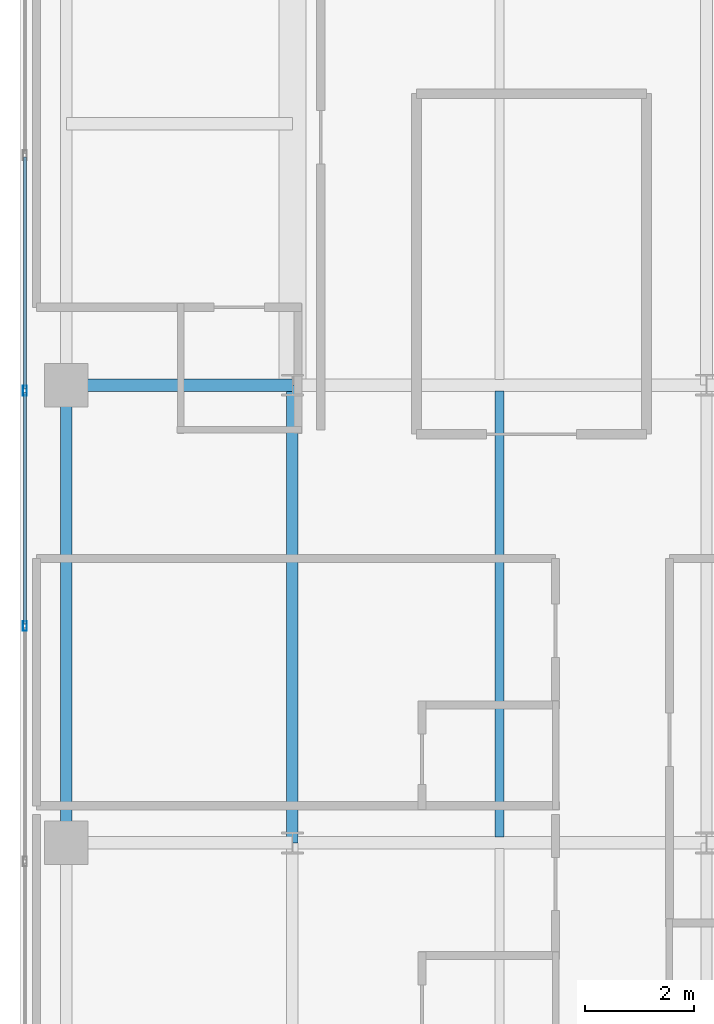
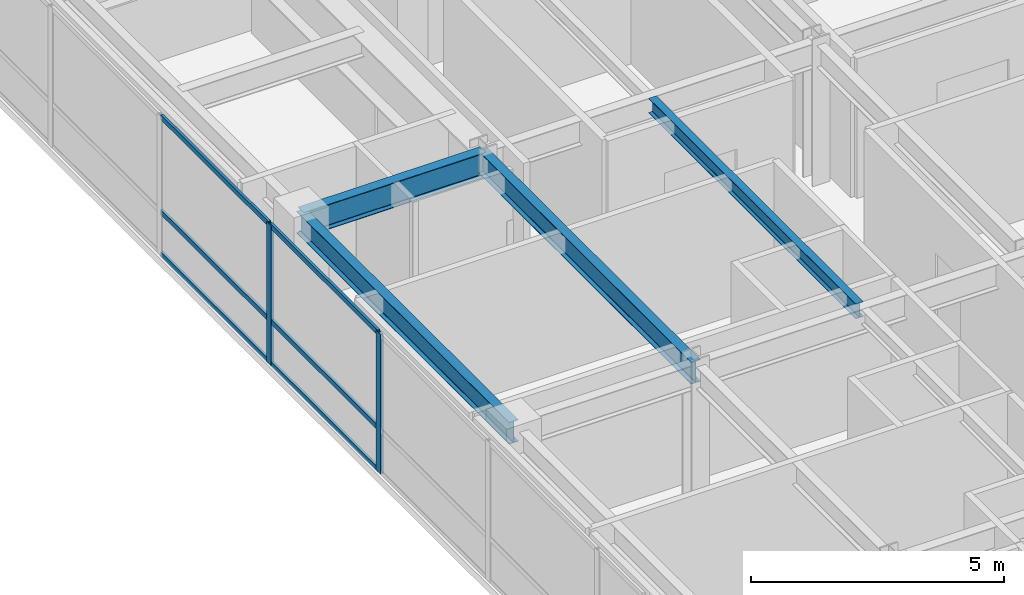
# One storey, part 9 of 24: 8 members, 4 beams, 1 element without a shape of its own.
"""IFC4 building model written with IfcOpenShell, lengths in metres."""

from ifc_helpers import new_model, si_unit, direction, frame, origin, origin_2d, place, context, subcontext, project, spatial, hollow_rectangle, i_section, extrude, source, transform, mapped, material, layer, layer_set, material_profile, profile_set, type_object, type_shapes, element, aggregate, save


model = new_model("IFC4")

# Units and contexts
model_context = context("Model", 3, precision=1e-05, world=origin(), true_north=direction((0.0, 1.0)))
body_context = subcontext(model_context, "Body", "Model", "MODEL_VIEW")
ifc_project = project(units=[si_unit("LENGTHUNIT", "METRE"), si_unit("AREAUNIT", "SQUARE_METRE"), si_unit("VOLUMEUNIT", "CUBIC_METRE"), si_unit("PLANEANGLEUNIT", "RADIAN"), si_unit("MASSUNIT", "GRAM", prefix="KILO")], contexts=[model_context])

# Site, building, storey
site_placement = place(None, origin())
site = spatial("IfcSite", under=ifc_project, at=site_placement, CompositionType="ELEMENT")
building_placement = place(site_placement, origin())
building = spatial("IfcBuilding", under=site, at=building_placement, Name="Tolvann Quenvar Hotel", CompositionType="ELEMENT")
storey_placement = place(building_placement, frame((0.0, 0.0, 157.699951171875)))
storey = spatial("IfcBuildingStorey", under=building, at=storey_placement, Name="L41", CompositionType="ELEMENT", Elevation=157.699951171875)

# Beams
ifc_material_1 = material(Name="Steel Grade 350", Category="steel")
ifc_material_profile_1 = material_profile(ifc_material_1, i_section(OverallWidth=0.208984375, OverallDepth=0.528076171875, WebThickness=0.009521484375, FlangeThickness=0.01318359375, FilletRadius=0.013916015625, at=origin_2d()), Name="530UB82")
ifc_profile_set_1 = profile_set([ifc_material_profile_1], Name="Steel Grade 350")
beam_type_1 = type_object("IfcBeamType", Name="BM_SPAND_530UB82", PredefinedType="SPANDREL", material=ifc_profile_set_1)
shared_shape_1 = source(origin(), body_context, "Body", "SweptSolid", [
    extrude(i_section(OverallWidth=0.208984375, OverallDepth=0.528076171875, WebThickness=0.009521484375, FlangeThickness=0.01318359375, FilletRadius=0.013916015625, at=origin_2d()), origin(), (0.0, 0.0, 1.0), 8.39990234375),
])
type_shapes(beam_type_1, [shared_shape_1])
beam_1_placement = place(storey_placement, frame((3.449951171875, 16.0, 3.10595703125), z_axis=(0.0, 1.0, 0.0), x_axis=(-1.0, 0.0, 0.0)))
element("IfcBeam", 1, at=beam_1_placement, inside=storey, type_object=beam_type_1, Name="BM-L41-NS-B4-B5", PredefinedType="SPANDREL", context=body_context, shape_type="MappedRepresentation", body=[
    mapped(shared_shape_1, transform((0.0, 0.0, 0.0), x_axis=(1.0, 0.0, 0.0), y_axis=(0.0, 1.0, 0.0), z_axis=(0.0, 0.0, 1.0), scale=1.0)),
])
ifc_material_profile_2 = material_profile(ifc_material_1, i_section(OverallWidth=0.208984375, OverallDepth=0.532958984375, WebThickness=0.01025390625, FlangeThickness=0.015625, FilletRadius=0.013916015625, at=origin_2d()), Name="530UB92")
ifc_profile_set_2 = profile_set([ifc_material_profile_2], Name="Steel Grade 350")
beam_type_2 = type_object("IfcBeamType", Name="BM_GIRD_530UB92", PredefinedType="BEAM", material=ifc_profile_set_2)
shared_shape_2 = source(origin(), body_context, "Body", "SweptSolid", [
    extrude(i_section(OverallWidth=0.208984375, OverallDepth=0.532958984375, WebThickness=0.01025390625, FlangeThickness=0.015625, FilletRadius=0.013916015625, at=origin_2d()), origin(), (0.0, 0.0, 1.0), 8.39990234375),
])
type_shapes(beam_type_2, [shared_shape_2])
beam_2_placement = place(storey_placement, frame((7.60009765625, 16.0, 3.103515625), z_axis=(0.0, 1.0, 0.0), x_axis=(-1.0, 0.0, 0.0)))
element("IfcBeam", 2, at=beam_2_placement, inside=storey, type_object=beam_type_2, Name="BM-L41-NS-C4-C5", PredefinedType="BEAM", context=body_context, shape_type="MappedRepresentation", body=[
    mapped(shared_shape_2, transform((0.0, 0.0, 0.0), x_axis=(1.0, 0.0, 0.0), y_axis=(0.0, 1.0, 0.0), z_axis=(0.0, 0.0, 1.0), scale=1.0)),
])
ifc_material_profile_3 = material_profile(ifc_material_1, i_section(OverallWidth=0.22802734375, OverallDepth=0.60205078125, WebThickness=0.010498046875, FlangeThickness=0.014892578125, FilletRadius=0.013916015625, at=origin_2d()), Name="610UB101")
ifc_profile_set_3 = profile_set([ifc_material_profile_3], Name="Steel Grade 350")
beam_type_3 = type_object("IfcBeamType", Name="BM_GIRD_610UB101", PredefinedType="BEAM", material=ifc_profile_set_3)
shared_shape_3 = source(origin(), body_context, "Body", "SweptSolid", [
    extrude(i_section(OverallWidth=0.22802734375, OverallDepth=0.60205078125, WebThickness=0.010498046875, FlangeThickness=0.014892578125, FilletRadius=0.013916015625, at=origin_2d()), origin(), (0.0, 0.0, 1.0), 4.150146484375),
])
type_shapes(beam_type_3, [shared_shape_3])
beam_3_placement = place(storey_placement, frame((3.449951171875, 24.39990234375, 3.069091796875), z_axis=(1.0, 0.0, 0.0), x_axis=(0.0, 1.0, 0.0)))
element("IfcBeam", 3, at=beam_3_placement, inside=storey, type_object=beam_type_3, Name="BM-L41-EW-5-B5-C5", PredefinedType="BEAM", context=body_context, shape_type="MappedRepresentation", body=[
    mapped(shared_shape_3, transform((0.0, 0.0, 0.0), x_axis=(1.0, 0.0, 0.0), y_axis=(0.0, 1.0, 0.0), z_axis=(0.0, 0.0, 1.0), scale=1.0)),
])
ifc_material_profile_4 = material_profile(ifc_material_1, i_section(OverallWidth=0.172119140625, OverallDepth=0.35888671875, WebThickness=0.008056640625, FlangeThickness=0.012939453125, FilletRadius=0.011474609375, at=origin_2d()), Name="360UB57")
ifc_profile_set_4 = profile_set([ifc_material_profile_4], Name="Steel Grade 350")
beam_type_4 = type_object("IfcBeamType", Name="BM_JOIST_360UB57", PredefinedType="JOIST", material=ifc_profile_set_4)
shared_shape_4 = source(origin(), body_context, "Body", "SweptSolid", [
    extrude(i_section(OverallWidth=0.172119140625, OverallDepth=0.35888671875, WebThickness=0.008056640625, FlangeThickness=0.012939453125, FilletRadius=0.011474609375, at=origin_2d()), origin(), (0.0, 0.0, 1.0), 8.18408203125),
])
type_shapes(beam_type_4, [shared_shape_4])
beam_4_placement = place(storey_placement, frame((11.39990234375, 16.10791015625, 3.1904296875), z_axis=(0.0, 1.0, 0.0), x_axis=(-1.0, 0.0, 0.0)))
element("IfcBeam", 4, at=beam_4_placement, inside=storey, type_object=beam_type_4, Name="BJ-L41-114-160", PredefinedType="JOIST", context=body_context, shape_type="MappedRepresentation", body=[
    mapped(shared_shape_4, transform((0.0, 0.0, 0.0), x_axis=(1.0, 0.0, 0.0), y_axis=(0.0, 1.0, 0.0), z_axis=(0.0, 0.0, 1.0), scale=1.0)),
])

# Curtain wall, members
ifc_material_2 = material(Name="Thermally broken anodised architectural aluminium 6063-T6 and laminated low-E glass", Category="aluminium")
ifc_layer = layer(ifc_material_2, 0.179931640625)
ifc_layer_set = layer_set([ifc_layer], Name="Thermally broken anodised architectural aluminium 6063-T6 and laminated low-E glass")
curtain_wall_type = type_object("IfcCurtainWallType", Name="CW_SYS_BAND_04", PredefinedType="USERDEFINED", material=ifc_layer_set)
curtain_wall_placement = place(storey_placement, origin())
curtain_wall = element("IfcCurtainWall", 5, at=curtain_wall_placement, inside=storey, type_object=curtain_wall_type, Name="Curtain Wall CW-BAND-04 (CWR-L41-E23)", ObjectType="UNITISED CURTAIN WALL", PredefinedType="USERDEFINED")
ifc_material_3 = material(Name="Anodised architectural aluminium 6063-T6 framing", Category="aluminium")
ifc_material_profile_5 = material_profile(ifc_material_3, hollow_rectangle(XDim=0.070068359375, YDim=0.179931640625, WallThickness=0.00390625, at=origin_2d()), Name="180x70x4RHS")
ifc_profile_set_5 = profile_set([ifc_material_profile_5], Name="Anodised architectural aluminium 6063-T6 framing")
member_type_1 = type_object("IfcMemberType", Name="CW_MULL_180x70", PredefinedType="MULLION", material=ifc_profile_set_5)
shared_shape_5 = source(origin(), body_context, "Body", "SweptSolid", [
    extrude(hollow_rectangle(XDim=0.070068359375, YDim=0.179931640625, WallThickness=0.00390625, at=origin_2d()), origin(), (0.0, 0.0, 1.0), 3.3701171875),
])
type_shapes(member_type_1, [shared_shape_5])
member_1_placement = place(storey_placement, frame((2.68994140625, 24.300048828125, 0.0), z_axis=(0.0, 0.0, 1.0), x_axis=(1.0, 0.0, 0.0)))
member_1 = element("IfcMember", 6, at=member_1_placement, type_object=member_type_1, Name="CW-BAND-04 mullion 5", PredefinedType="MULLION", context=body_context, shape_type="MappedRepresentation", body=[
    mapped(shared_shape_5, transform((0.0, 0.0, 0.0), x_axis=(1.0, 0.0, 0.0), y_axis=(0.0, 1.0, 0.0), z_axis=(0.0, 0.0, 1.0), scale=1.0)),
])
member_2_placement = place(storey_placement, frame((2.68994140625, 19.979248046875, 0.0), z_axis=(0.0, 0.0, 1.0), x_axis=(1.0, 0.0, 0.0)))
member_2 = element("IfcMember", 7, at=member_2_placement, type_object=member_type_1, Name="CW-BAND-04 mullion 6", PredefinedType="MULLION", context=body_context, shape_type="MappedRepresentation", body=[
    mapped(shared_shape_5, transform((0.0, 0.0, 0.0), x_axis=(1.0, 0.0, 0.0), y_axis=(0.0, 1.0, 0.0), z_axis=(0.0, 0.0, 1.0), scale=1.0)),
])
ifc_material_profile_6 = material_profile(ifc_material_3, hollow_rectangle(XDim=0.06005859375, YDim=0.1201171875, WallThickness=0.00341796875, at=origin_2d()), Name="120x60x3.5RHS")
ifc_profile_set_6 = profile_set([ifc_material_profile_6], Name="Anodised architectural aluminium 6063-T6 framing")
member_type_2 = type_object("IfcMemberType", Name="CW_TRAN_120x60", PredefinedType="USERDEFINED", material=ifc_profile_set_6)
shared_shape_6 = source(origin(), body_context, "Body", "SweptSolid", [
    extrude(hollow_rectangle(XDim=0.06005859375, YDim=0.1201171875, WallThickness=0.00341796875, at=origin_2d()), origin(), (0.0, 0.0, 1.0), 4.250732421875),
])
member_3_placement = place(storey_placement, frame((2.68994140625, 28.585693359375, 0.030029296875), z_axis=(0.0, -1.0, 0.0), x_axis=(1.0, 0.0, 0.0)))
member_3 = element("IfcMember", 8, at=member_3_placement, type_object=member_type_2, Name="CW-BAND-04 transom 4.1", ObjectType="TRANSOM", PredefinedType="USERDEFINED", context=body_context, shape_type="MappedRepresentation", body=[
    mapped(shared_shape_6, transform((0.0, 0.0, 0.0), x_axis=(1.0, 0.0, 0.0), y_axis=(0.0, 1.0, 0.0), z_axis=(0.0, 0.0, 1.0), scale=1.0)),
])
member_4_placement = place(storey_placement, frame((2.68994140625, 28.585693359375, 1.050048828125), z_axis=(0.0, -1.0, 0.0), x_axis=(1.0, 0.0, 0.0)))
member_4 = element("IfcMember", 9, at=member_4_placement, type_object=member_type_2, Name="CW-BAND-04 transom 4.2", ObjectType="TRANSOM", PredefinedType="USERDEFINED", context=body_context, shape_type="MappedRepresentation", body=[
    mapped(shared_shape_6, transform((0.0, 0.0, 0.0), x_axis=(1.0, 0.0, 0.0), y_axis=(0.0, 1.0, 0.0), z_axis=(0.0, 0.0, 1.0), scale=1.0)),
])
member_5_placement = place(storey_placement, frame((2.68994140625, 28.585693359375, 3.340087890625), z_axis=(0.0, -1.0, 0.0), x_axis=(1.0, 0.0, 0.0)))
member_5 = element("IfcMember", 10, at=member_5_placement, type_object=member_type_2, Name="CW-BAND-04 transom 4.3", ObjectType="TRANSOM", PredefinedType="USERDEFINED", context=body_context, shape_type="MappedRepresentation", body=[
    mapped(shared_shape_6, transform((0.0, 0.0, 0.0), x_axis=(1.0, 0.0, 0.0), y_axis=(0.0, 1.0, 0.0), z_axis=(0.0, 0.0, 1.0), scale=1.0)),
])
shared_shape_7 = source(origin(), body_context, "Body", "SweptSolid", [
    extrude(hollow_rectangle(XDim=0.06005859375, YDim=0.1201171875, WallThickness=0.00341796875, at=origin_2d()), origin(), (0.0, 0.0, 1.0), 4.25048828125),
])
type_shapes(member_type_2, [shared_shape_6, shared_shape_7])
member_6_placement = place(storey_placement, frame((2.68994140625, 24.264892578125, 0.030029296875), z_axis=(0.0, -1.0, 0.0), x_axis=(1.0, 0.0, 0.0)))
member_6 = element("IfcMember", 11, at=member_6_placement, type_object=member_type_2, Name="CW-BAND-04 transom 5.1", ObjectType="TRANSOM", PredefinedType="USERDEFINED", context=body_context, shape_type="MappedRepresentation", body=[
    mapped(shared_shape_7, transform((0.0, 0.0, 0.0), x_axis=(1.0, 0.0, 0.0), y_axis=(0.0, 1.0, 0.0), z_axis=(0.0, 0.0, 1.0), scale=1.0)),
])
member_7_placement = place(storey_placement, frame((2.68994140625, 24.264892578125, 1.050048828125), z_axis=(0.0, -1.0, 0.0), x_axis=(1.0, 0.0, 0.0)))
member_7 = element("IfcMember", 12, at=member_7_placement, type_object=member_type_2, Name="CW-BAND-04 transom 5.2", ObjectType="TRANSOM", PredefinedType="USERDEFINED", context=body_context, shape_type="MappedRepresentation", body=[
    mapped(shared_shape_7, transform((0.0, 0.0, 0.0), x_axis=(1.0, 0.0, 0.0), y_axis=(0.0, 1.0, 0.0), z_axis=(0.0, 0.0, 1.0), scale=1.0)),
])
member_8_placement = place(storey_placement, frame((2.68994140625, 24.264892578125, 3.340087890625), z_axis=(0.0, -1.0, 0.0), x_axis=(1.0, 0.0, 0.0)))
member_8 = element("IfcMember", 13, at=member_8_placement, type_object=member_type_2, Name="CW-BAND-04 transom 5.3", ObjectType="TRANSOM", PredefinedType="USERDEFINED", context=body_context, shape_type="MappedRepresentation", body=[
    mapped(shared_shape_7, transform((0.0, 0.0, 0.0), x_axis=(1.0, 0.0, 0.0), y_axis=(0.0, 1.0, 0.0), z_axis=(0.0, 0.0, 1.0), scale=1.0)),
])
aggregate(curtain_wall, [member_1, member_2, member_3, member_4, member_5, member_6, member_7, member_8])

save(model, "model.ifc")
